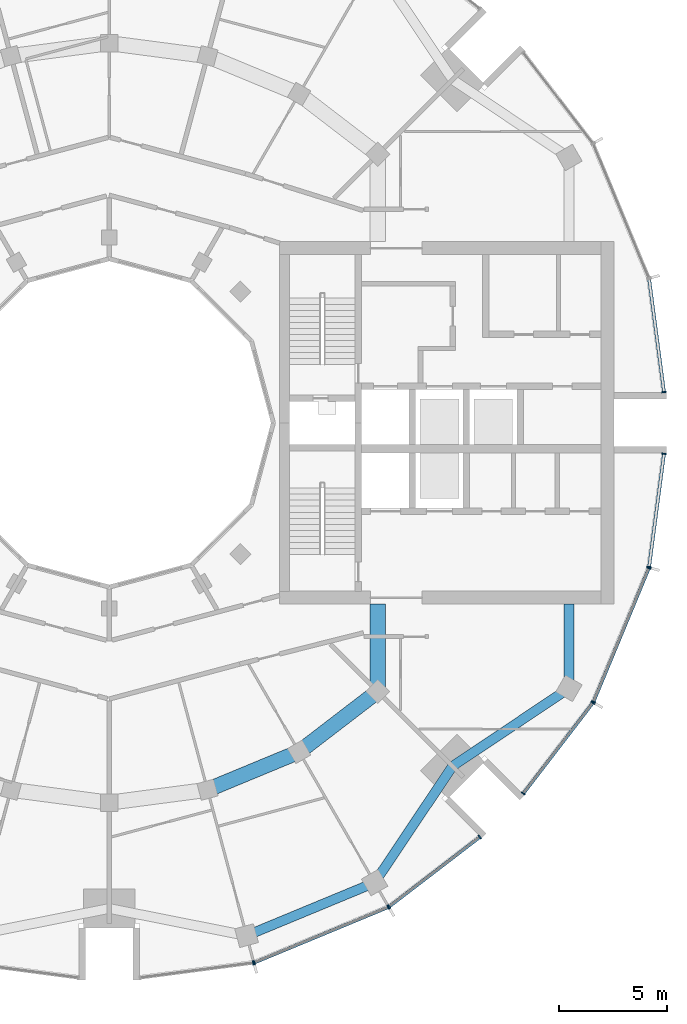
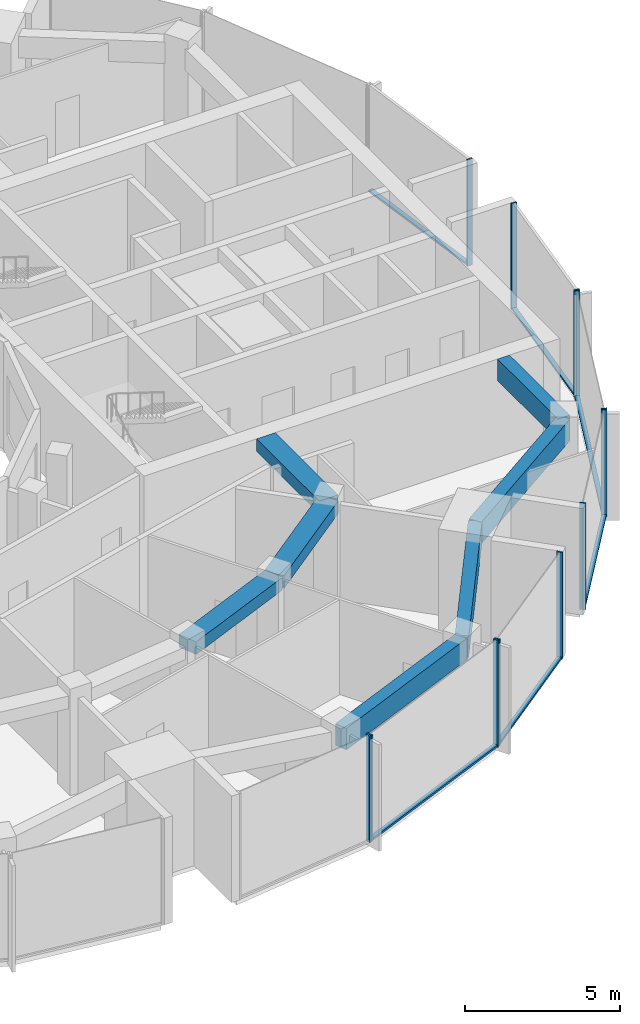
# One storey, part 4 of 15: 18 members, 7 beams, 7 elements without a shape of their own.
"""IFC4 building model written with IfcOpenShell, lengths in metres."""

from ifc_helpers import new_model, si_unit, direction, frame, origin, origin_2d, place, context, subcontext, project, spatial, rectangle, extrude, material, layer, layer_set, material_profile, profile_set, type_object, element, aggregate, save


model = new_model("IFC4")

# Units and contexts
model_context = context("Model", 3, precision=1e-05, world=origin(), true_north=direction((0.0, 1.0)))
body_context = subcontext(model_context, "Body", "Model", "MODEL_VIEW")
ifc_project = project(units=[si_unit("LENGTHUNIT", "METRE"), si_unit("AREAUNIT", "SQUARE_METRE"), si_unit("VOLUMEUNIT", "CUBIC_METRE"), si_unit("PLANEANGLEUNIT", "RADIAN"), si_unit("MASSUNIT", "GRAM", prefix="KILO")], contexts=[model_context])

# Site, building, storey
site_placement = place(None, origin())
site = spatial("IfcSite", under=ifc_project, at=site_placement, CompositionType="ELEMENT")
building_placement = place(site_placement, origin())
building = spatial("IfcBuilding", under=site, at=building_placement, Name="Torre Brocal", CompositionType="ELEMENT")
storey_placement = place(building_placement, frame((0.0, 0.0, 220.89990234375)))
storey = spatial("IfcBuildingStorey", under=building, at=storey_placement, Name="L51", CompositionType="ELEMENT", Elevation=220.89990234375)

# Curtain wall, member
ifc_material_1 = material(Name="Aluminium and glass", Category="aluminium")
ifc_layer_1 = layer(ifc_material_1, 0.199951171875)
ifc_layer_set_1 = layer_set([ifc_layer_1], Name="Aluminium and glass")
curtain_wall_type_1 = type_object("IfcCurtainWallType", Name="CW-1 CURTAIN WALL 4200 HIGH", PredefinedType="NOTDEFINED", material=ifc_layer_set_1)
curtain_wall_1_placement = place(storey_placement, origin())
curtain_wall_1 = element("IfcCurtainWall", 1, at=curtain_wall_1_placement, inside=storey, type_object=curtain_wall_type_1, Name="CW-1 RUN 19", PredefinedType="NOTDEFINED")
ifc_material_2 = material(Name="Aluminium, dark anodised", Category="aluminium")
ifc_material_profile_1 = material_profile(ifc_material_2, rectangle(XDim=0.199951171875, YDim=0.06005859375, at=origin_2d()), Name="CW-1 MULLION 60X200")
ifc_profile_set_1 = profile_set([ifc_material_profile_1], Name="Aluminium, dark anodised")
member_type_1 = type_object("IfcMemberType", Name="CW-1 MULLION 60X200", PredefinedType="MULLION", material=ifc_profile_set_1)
member_1_placement = place(storey_placement, frame((86.67333984375, 49.9794921875, 0.0), z_axis=(0.0, 0.0, 1.0), x_axis=(-0.13052619222, 0.991444861374, 0.0)))
member_1 = element("IfcMember", 2, at=member_1_placement, type_object=member_type_1, Name="CW1-5 mullion 2", PredefinedType="MULLION", context=body_context, shape_type="SweptSolid", body=[
    extrude(rectangle(XDim=0.199951171875, YDim=0.06005859375, at=origin_2d()), origin(), (0.0, 0.0, 1.0), 4.2001953125),
])
aggregate(curtain_wall_1, [member_1])

# Curtain wall, members
curtain_wall_2_placement = place(storey_placement, origin())
curtain_wall_2 = element("IfcCurtainWall", 3, at=curtain_wall_2_placement, inside=storey, type_object=curtain_wall_type_1, Name="CW-1 RUN 20", PredefinedType="NOTDEFINED")
member_2_placement = place(storey_placement, frame((86.73095703125, 49.994873046875, 0.0), z_axis=(0.0, 0.0, 1.0), x_axis=(-0.382683432333, 0.923879532525, 0.0)))
member_2 = element("IfcMember", 4, at=member_2_placement, type_object=member_type_1, Name="CW1-5 mullion 1", PredefinedType="MULLION", context=body_context, shape_type="SweptSolid", body=[
    extrude(rectangle(XDim=0.199951171875, YDim=0.06005859375, at=origin_2d()), origin(), (0.0, 0.0, 1.0), 4.2001953125),
])
member_3_placement = place(storey_placement, frame((92.921875, 52.559326171875, 0.0), z_axis=(0.0, 0.0, 1.0), x_axis=(-0.382683432333, 0.923879532525, 0.0)))
member_3 = element("IfcMember", 5, at=member_3_placement, type_object=member_type_1, Name="CW1-5 mullion 2", PredefinedType="MULLION", context=body_context, shape_type="SweptSolid", body=[
    extrude(rectangle(XDim=0.199951171875, YDim=0.06005859375, at=origin_2d()), origin(), (0.0, 0.0, 1.0), 4.2001953125),
])

curtain_wall_3_placement = place(storey_placement, origin())
curtain_wall_3 = element("IfcCurtainWall", 6, at=curtain_wall_3_placement, inside=storey, type_object=curtain_wall_type_1, Name="CW-1 RUN 21", PredefinedType="NOTDEFINED")
member_4_placement = place(storey_placement, frame((92.973388671875, 52.5888671875, 0.0), z_axis=(0.0, 0.0, 1.0), x_axis=(-0.60876142905, 0.793353340259, 0.0)))
member_4 = element("IfcMember", 7, at=member_4_placement, type_object=member_type_1, Name="CW1-5 mullion 1", PredefinedType="MULLION", context=body_context, shape_type="SweptSolid", body=[
    extrude(rectangle(XDim=0.199951171875, YDim=0.06005859375, at=origin_2d()), origin(), (0.0, 0.0, 1.0), 4.2001953125),
])
member_5_placement = place(storey_placement, frame((97.16943359375, 55.80859375, 0.0), z_axis=(0.0, 0.0, 1.0), x_axis=(-0.60876142905, 0.793353340259, 0.0)))
member_5 = element("IfcMember", 8, at=member_5_placement, type_object=member_type_1, Name="CW1-5 mullion 2", PredefinedType="MULLION", context=body_context, shape_type="SweptSolid", body=[
    extrude(rectangle(XDim=0.199951171875, YDim=0.06005859375, at=origin_2d()), origin(), (0.0, 0.0, 1.0), 4.2001953125),
])

curtain_wall_4_placement = place(storey_placement, origin())
curtain_wall_4 = element("IfcCurtainWall", 9, at=curtain_wall_4_placement, inside=storey, type_object=curtain_wall_type_1, Name="CW-1 RUN 22", PredefinedType="NOTDEFINED")
member_6_placement = place(storey_placement, frame((99.19140625, 57.83056640625, 0.0), z_axis=(0.0, 0.0, 1.0), x_axis=(-0.793353340259, 0.60876142905, 0.0)))
member_6 = element("IfcMember", 10, at=member_6_placement, type_object=member_type_1, Name="CW1-5 mullion 1", PredefinedType="MULLION", context=body_context, shape_type="SweptSolid", body=[
    extrude(rectangle(XDim=0.199951171875, YDim=0.06005859375, at=origin_2d()), origin(), (0.0, 0.0, 1.0), 4.2001953125),
])
member_7_placement = place(storey_placement, frame((102.4111328125, 62.026611328125, 0.0), z_axis=(0.0, 0.0, 1.0), x_axis=(-0.793353340259, 0.60876142905, 0.0)))
member_7 = element("IfcMember", 11, at=member_7_placement, type_object=member_type_1, Name="CW1-5 mullion 2", PredefinedType="MULLION", context=body_context, shape_type="SweptSolid", body=[
    extrude(rectangle(XDim=0.199951171875, YDim=0.06005859375, at=origin_2d()), origin(), (0.0, 0.0, 1.0), 4.2001953125),
])

curtain_wall_5_placement = place(storey_placement, origin())
curtain_wall_5 = element("IfcCurtainWall", 12, at=curtain_wall_5_placement, inside=storey, type_object=curtain_wall_type_1, Name="CW-1 RUN 23", PredefinedType="NOTDEFINED")
member_8_placement = place(storey_placement, frame((102.440673828125, 62.078125, 0.0), z_axis=(0.0, 0.0, 1.0), x_axis=(-0.923879532525, 0.382683432333, 0.0)))
member_8 = element("IfcMember", 13, at=member_8_placement, type_object=member_type_1, Name="CW1-5 mullion 1", PredefinedType="MULLION", context=body_context, shape_type="SweptSolid", body=[
    extrude(rectangle(XDim=0.199951171875, YDim=0.06005859375, at=origin_2d()), origin(), (0.0, 0.0, 1.0), 4.2001953125),
])
member_9_placement = place(storey_placement, frame((105.005126953125, 68.26904296875, 0.0), z_axis=(0.0, 0.0, 1.0), x_axis=(-0.923879532525, 0.382683432333, 0.0)))
member_9 = element("IfcMember", 14, at=member_9_placement, type_object=member_type_1, Name="CW1-5 mullion 2", PredefinedType="MULLION", context=body_context, shape_type="SweptSolid", body=[
    extrude(rectangle(XDim=0.199951171875, YDim=0.06005859375, at=origin_2d()), origin(), (0.0, 0.0, 1.0), 4.2001953125),
])

# Member
ifc_material_3 = material(Name="Aluminium, dark anodised", Category="aluminium")
ifc_material_profile_2 = material_profile(ifc_material_3, rectangle(XDim=0.159912109375, YDim=0.080078125, at=origin_2d()), Name="CW-1 TRANSOM 160X80")
ifc_profile_set_2 = profile_set([ifc_material_profile_2], Name="Aluminium, dark anodised")
member_type_2 = type_object("IfcMemberType", Name="CW-1 TRANSOM 160X80", PredefinedType="USERDEFINED", material=ifc_profile_set_2)
member_10_placement = place(storey_placement, frame((86.758544921875, 50.00634765625, 0.0400390625), z_axis=(0.923887344364, 0.38266457234, 0.0), x_axis=(-0.38266457234, 0.923887344364, 0.0)))
member_10 = element("IfcMember", 15, at=member_10_placement, type_object=member_type_2, Name="CW1-5 transom 1.1", ObjectType="TRANSOM", PredefinedType="USERDEFINED", context=body_context, shape_type="SweptSolid", body=[
    extrude(rectangle(XDim=0.159912109375, YDim=0.080078125, at=origin_2d()), origin(), (0.0, 0.0, 1.0), 6.640869140625),
])

aggregate(curtain_wall_2, [member_2, member_3, member_10])

member_11_placement = place(storey_placement, frame((92.9970703125, 52.607177734375, 0.0400390625), z_axis=(0.79336281513, 0.60874908096, 0.0), x_axis=(-0.60874908096, 0.79336281513, 0.0)))
member_11 = element("IfcMember", 16, at=member_11_placement, type_object=member_type_2, Name="CW1-5 transom 1.1", ObjectType="TRANSOM", PredefinedType="USERDEFINED", context=body_context, shape_type="SweptSolid", body=[
    extrude(rectangle(XDim=0.159912109375, YDim=0.080078125, at=origin_2d()), origin(), (0.0, 0.0, 1.0), 5.22900390625),
])

aggregate(curtain_wall_3, [member_4, member_5, member_11])

member_12_placement = place(storey_placement, frame((99.209716796875, 57.8544921875, 0.0400390625), z_axis=(0.60874908096, 0.79336281513, 0.0), x_axis=(-0.79336281513, 0.60874908096, 0.0)))
member_12 = element("IfcMember", 17, at=member_12_placement, type_object=member_type_2, Name="CW1-5 transom 1.1", ObjectType="TRANSOM", PredefinedType="USERDEFINED", context=body_context, shape_type="SweptSolid", body=[
    extrude(rectangle(XDim=0.159912109375, YDim=0.080078125, at=origin_2d()), origin(), (0.0, 0.0, 1.0), 5.22900390625),
])

aggregate(curtain_wall_4, [member_6, member_7, member_12])

member_13_placement = place(storey_placement, frame((102.452392578125, 62.10595703125, 0.0400390625), z_axis=(0.38266457234, 0.923887344364, 0.0), x_axis=(-0.923887344364, 0.38266457234, 0.0)))
member_13 = element("IfcMember", 18, at=member_13_placement, type_object=member_type_2, Name="CW1-5 transom 1.1", ObjectType="TRANSOM", PredefinedType="USERDEFINED", context=body_context, shape_type="SweptSolid", body=[
    extrude(rectangle(XDim=0.159912109375, YDim=0.080078125, at=origin_2d()), origin(), (0.0, 0.0, 1.0), 6.640869140625),
])

aggregate(curtain_wall_5, [member_8, member_9, member_13])

# Curtain wall, member
ifc_material_4 = material(Name="Aluminium and glass", Category="aluminium")
ifc_layer_2 = layer(ifc_material_4, 0.199951171875)
ifc_layer_set_2 = layer_set([ifc_layer_2], Name="Aluminium and glass")
curtain_wall_type_2 = type_object("IfcCurtainWallType", Name="CW-1B CURTAIN WALL 4200 HIGH", PredefinedType="NOTDEFINED", material=ifc_layer_set_2)
curtain_wall_6_placement = place(storey_placement, origin())
curtain_wall_6 = element("IfcCurtainWall", 19, at=curtain_wall_6_placement, inside=storey, type_object=curtain_wall_type_2, Name="CW-1B RUN 1", PredefinedType="NOTDEFINED")
ifc_material_5 = material(Name="Aluminium, dark anodised", Category="aluminium")
ifc_material_profile_3 = material_profile(ifc_material_5, rectangle(XDim=0.199951171875, YDim=0.06005859375, at=origin_2d()), Name="CW-1B MULLION 60X200")
ifc_profile_set_3 = profile_set([ifc_material_profile_3], Name="Aluminium, dark anodised")
member_type_3 = type_object("IfcMemberType", Name="CW-1B MULLION 60X200", PredefinedType="MULLION", material=ifc_profile_set_3)
member_14_placement = place(storey_placement, frame((105.7109375, 76.4296875, 0.0), z_axis=(0.0, 0.0, 1.0), x_axis=(-0.991444861374, -0.13052619222, 0.0)))
member_14 = element("IfcMember", 20, at=member_14_placement, type_object=member_type_3, Name="CW1B-5 mullion 1", PredefinedType="MULLION", context=body_context, shape_type="SweptSolid", body=[
    extrude(rectangle(XDim=0.199951171875, YDim=0.06005859375, at=origin_2d()), origin(), (0.0, 0.0, 1.0), 4.2001953125),
])

# Curtain wall, members
curtain_wall_7_placement = place(storey_placement, origin())
curtain_wall_7 = element("IfcCurtainWall", 21, at=curtain_wall_7_placement, inside=storey, type_object=curtain_wall_type_2, Name="CW-1B RUN 24", PredefinedType="NOTDEFINED")
member_15_placement = place(storey_placement, frame((105.0205078125, 68.32666015625, 0.0), z_axis=(0.0, 0.0, 1.0), x_axis=(-0.991444861374, 0.13052619222, 0.0)))
member_15 = element("IfcMember", 22, at=member_15_placement, type_object=member_type_3, Name="CW1B-5 mullion 1", PredefinedType="MULLION", context=body_context, shape_type="SweptSolid", body=[
    extrude(rectangle(XDim=0.199951171875, YDim=0.06005859375, at=origin_2d()), origin(), (0.0, 0.0, 1.0), 4.2001953125),
])
member_16_placement = place(storey_placement, frame((105.7109375, 73.5703125, 0.0), z_axis=(0.0, 0.0, 1.0), x_axis=(-0.991444861374, 0.13052619222, 0.0)))
member_16 = element("IfcMember", 23, at=member_16_placement, type_object=member_type_3, Name="CW1B-5 mullion 2", PredefinedType="MULLION", context=body_context, shape_type="SweptSolid", body=[
    extrude(rectangle(XDim=0.199951171875, YDim=0.06005859375, at=origin_2d()), origin(), (0.0, 0.0, 1.0), 4.2001953125),
])

# Member
ifc_material_6 = material(Name="Aluminium, dark anodised", Category="aluminium")
ifc_material_profile_4 = material_profile(ifc_material_6, rectangle(XDim=0.159912109375, YDim=0.080078125, at=origin_2d()), Name="CW-1B TRANSOM 160X80")
ifc_profile_set_4 = profile_set([ifc_material_profile_4], Name="Aluminium, dark anodised")
member_type_4 = type_object("IfcMemberType", Name="CW-1B TRANSOM 160X80", PredefinedType="USERDEFINED", material=ifc_profile_set_4)
member_17_placement = place(storey_placement, frame((105.70703125, 76.45947265625, 0.0400390625), z_axis=(-0.130542677827, 0.991442690863, 0.0), x_axis=(-0.991442690863, -0.130542677827, 0.0)))
member_17 = element("IfcMember", 24, at=member_17_placement, type_object=member_type_4, Name="CW1B-5 transom 1.1", ObjectType="TRANSOM", PredefinedType="USERDEFINED", context=body_context, shape_type="SweptSolid", body=[
    extrude(rectangle(XDim=0.159912109375, YDim=0.080078125, at=origin_2d()), origin(), (0.0, 0.0, 1.0), 5.22900390625),
])

aggregate(curtain_wall_6, [member_14, member_17])

member_18_placement = place(storey_placement, frame((105.0244140625, 68.356201171875, 0.0400390625), z_axis=(0.130542677827, 0.991442690863, 0.0), x_axis=(-0.991442690863, 0.130542677827, 0.0)))
member_18 = element("IfcMember", 25, at=member_18_placement, type_object=member_type_4, Name="CW1B-5 transom 1.1", ObjectType="TRANSOM", PredefinedType="USERDEFINED", context=body_context, shape_type="SweptSolid", body=[
    extrude(rectangle(XDim=0.159912109375, YDim=0.080078125, at=origin_2d()), origin(), (0.0, 0.0, 1.0), 5.22900390625),
])

aggregate(curtain_wall_7, [member_15, member_16, member_18])

# Beams
ifc_material_7 = material(Name="Concrete C50", Category="concrete")
ifc_material_profile_5 = material_profile(ifc_material_7, rectangle(XDim=0.699951171875, YDim=0.5, at=origin_2d()), Name="RC 700X500")
ifc_profile_set_5 = profile_set([ifc_material_profile_5], Name="Concrete C50")
beam_type_1 = type_object("IfcBeamType", Name="RC BEAM 700X500 C50 TOP 3880", PredefinedType="BEAM", material=ifc_profile_set_5)
beam_1_placement = place(storey_placement, frame((84.55517578125, 57.999755859375, 3.630126953125), z_axis=(0.923878240166, 0.382686552348, 0.0), x_axis=(-0.382686552348, 0.923878240166, 0.0)))
element("IfcBeam", 26, at=beam_1_placement, inside=storey, type_object=beam_type_1, Name="Beam BT-37", PredefinedType="BEAM", context=body_context, shape_type="SweptSolid", body=[
    extrude(rectangle(XDim=0.699951171875, YDim=0.5, at=origin_2d()), origin(), (0.0, 0.0, 1.0), 4.5947265625),
])
beam_2_placement = place(storey_placement, frame((88.800048828125, 59.758056640625, 3.630126953125), z_axis=(0.793358265959, 0.6087550097, 0.0), x_axis=(-0.6087550097, 0.793358265959, 0.0)))
element("IfcBeam", 27, at=beam_2_placement, inside=storey, type_object=beam_type_1, Name="Beam BT-37", PredefinedType="BEAM", context=body_context, shape_type="SweptSolid", body=[
    extrude(rectangle(XDim=0.699951171875, YDim=0.5, at=origin_2d()), origin(), (0.0, 0.0, 1.0), 4.594482421875),
])
beam_3_placement = place(storey_placement, frame((92.445068359375, 62.554931640625, 3.630126953125), z_axis=(0.0, 1.0, 0.0), x_axis=(-1.0, 0.0, 0.0)))
element("IfcBeam", 28, at=beam_3_placement, inside=storey, type_object=beam_type_1, Name="Beam BT-37", PredefinedType="BEAM", context=body_context, shape_type="SweptSolid", body=[
    extrude(rectangle(XDim=0.699951171875, YDim=0.5, at=origin_2d()), origin(), (0.0, 0.0, 1.0), 4.045166015625),
])
ifc_material_8 = material(Name="Concrete C50", Category="concrete")
ifc_material_profile_6 = material_profile(ifc_material_8, rectangle(XDim=0.449951171875, YDim=0.85009765625, at=origin_2d()), Name="RC 450X850")
ifc_profile_set_6 = profile_set([ifc_material_profile_6], Name="Concrete C50")
beam_type_2 = type_object("IfcBeamType", Name="RC SPANDREL BEAM 450X850 C50 TOP 3880", PredefinedType="SPANDREL", material=ifc_profile_set_6)
beam_4_placement = place(storey_placement, frame((86.366943359375, 51.23828125, 3.455078125), z_axis=(0.923882462513, 0.382676358639, 0.0), x_axis=(-0.382676358639, 0.923882462513, 0.0)))
element("IfcBeam", 29, at=beam_4_placement, inside=storey, type_object=beam_type_2, Name="Beam BT-38", PredefinedType="SPANDREL", context=body_context, shape_type="SweptSolid", body=[
    extrude(rectangle(XDim=0.449951171875, YDim=0.85009765625, at=origin_2d()), origin(), (0.0, 0.0, 1.0), 6.421875),
])
for number, where, z_axis, x_axis, name in (
    (30, (92.300048828125, 53.69580078125, 3.455078125), (0.556157602282, 0.831076844476, 0.0), (-0.831076844476, 0.556157602282, 0.0), "Beam BT-38"),
    (31, (95.909912109375, 59.090087890625, 3.455078125), (0.831076844476, 0.556157602282, 0.0), (-0.556157602282, 0.831076844476, 0.0), "Beam BT-38"),
):
    element("IfcBeam", number, at=place(storey_placement, frame(where, z_axis=z_axis, x_axis=x_axis)), inside=storey, type_object=beam_type_2, Name=name, PredefinedType="SPANDREL", context=body_context, shape_type="SweptSolid", body=[
        extrude(rectangle(XDim=0.449951171875, YDim=0.85009765625, at=origin_2d()), origin(), (0.0, 0.0, 1.0), 6.49072265625),
    ])
beam_5_placement = place(storey_placement, frame((101.30419921875, 62.699951171875, 3.455078125), z_axis=(0.0, 1.0, 0.0), x_axis=(-1.0, 0.0, 0.0)))
element("IfcBeam", 32, at=beam_5_placement, inside=storey, type_object=beam_type_2, Name="Beam BT-38", PredefinedType="SPANDREL", context=body_context, shape_type="SweptSolid", body=[
    extrude(rectangle(XDim=0.449951171875, YDim=0.85009765625, at=origin_2d()), origin(), (0.0, 0.0, 1.0), 3.900146484375),
])

save(model, "model.ifc")
